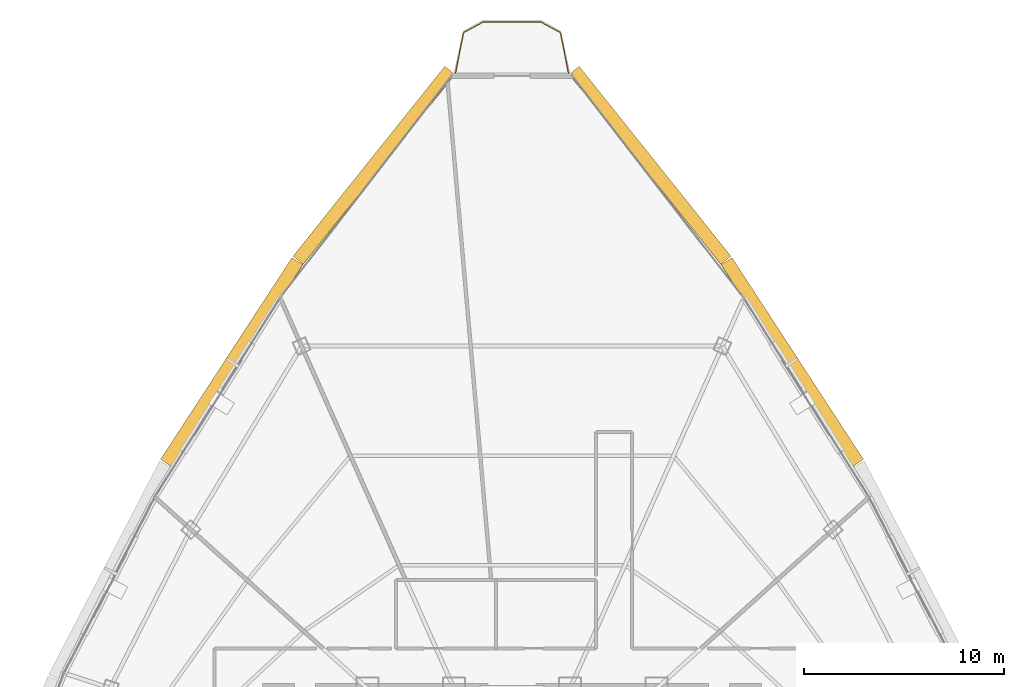
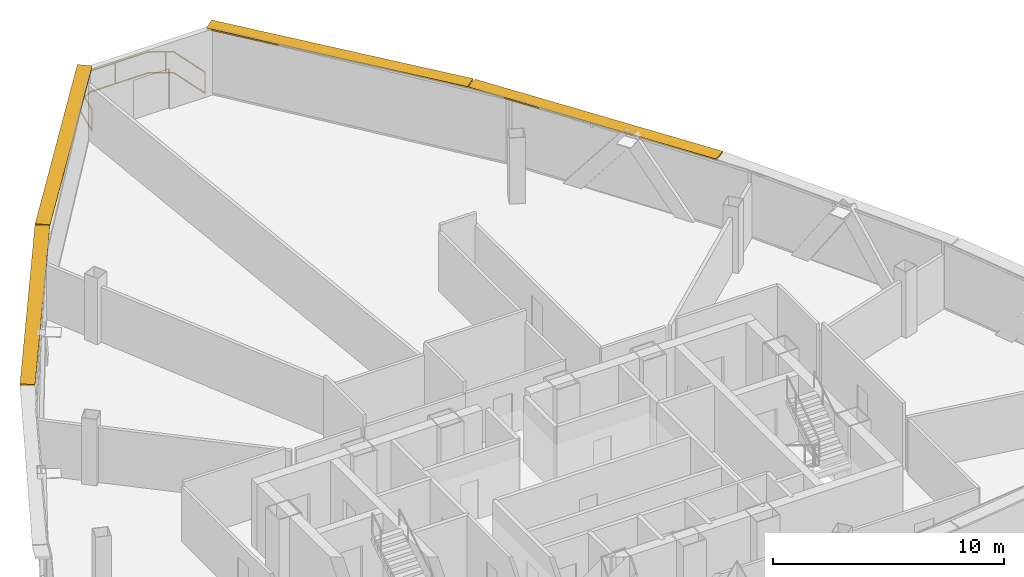
# One storey, part 30 of 30: 4 shading devices, 1 railing.
"""IFC4 building model written with IfcOpenShell, lengths in metres."""

from ifc_helpers import new_model, si_unit, direction, frame, origin, origin_2d, place, context, subcontext, project, spatial, rectangle, extrude, source, transform, mapped, material, layer, layer_set, type_object, element, save


model = new_model("IFC4")

# Units and contexts
model_context = context("Model", 3, precision=1e-05, world=origin(), true_north=direction((0.0, 1.0)))
body_context = subcontext(model_context, "Body", "Model", "MODEL_VIEW")
ifc_project = project(units=[si_unit("LENGTHUNIT", "METRE"), si_unit("AREAUNIT", "SQUARE_METRE"), si_unit("VOLUMEUNIT", "CUBIC_METRE"), si_unit("PLANEANGLEUNIT", "RADIAN"), si_unit("MASSUNIT", "GRAM", prefix="KILO"), si_unit("THERMODYNAMICTEMPERATUREUNIT", "KELVIN"), si_unit("POWERUNIT", "WATT")], contexts=[model_context])

# Site, building, storey
site_placement = place(None, origin())
site = spatial("IfcSite", under=ifc_project, at=site_placement, CompositionType="ELEMENT")
building_placement = place(site_placement, origin())
building = spatial("IfcBuilding", under=site, at=building_placement, Name="Yunzhuo Pagoda Commons", CompositionType="ELEMENT")
storey_placement = place(building_placement, frame((0.0, 0.0, 355.510009765625)))
storey = spatial("IfcBuildingStorey", under=building, at=storey_placement, Name="L89", CompositionType="ELEMENT", Elevation=355.510009765625)

# Railing
ifc_material = material(Name="Anodized aluminium 6063-T6", Category="aluminium")
railing_type = type_object("IfcRailingType", Name="RL-BAL1 Exterior Terrace & Balcony Balustrade 1150", PredefinedType="BALUSTRADE", material=ifc_material)
railing_placement = place(storey_placement, frame((50.819091796875, 70.908935546875, 0.0)))
element("IfcRailing", 1, at=railing_placement, inside=storey, type_object=railing_type, Name="L89 corner balcony balustrade V3", PredefinedType="BALUSTRADE", context=body_context, shape_type="SweptSolid", body=[
    extrude(rectangle(XDim=0.048095703125, YDim=0.048095703125, at=origin_2d()), frame((0.0, 0.0, 1.1259765625), z_axis=(-0.194200568098, 0.980961843983, 0.0), x_axis=(-0.980961843983, -0.194200568098, 0.0)), (0.0, 0.0, 1.0), 2.059326171875),
    extrude(rectangle(XDim=0.048095703125, YDim=0.048095703125, at=origin_2d()), frame((0.0, 0.0, 0.02392578125), z_axis=(-0.194200568098, 0.980961843983, 0.0), x_axis=(-0.980961843983, -0.194200568098, 0.0)), (0.0, 0.0, 1.0), 2.059326171875),
    extrude(rectangle(XDim=0.048095703125, YDim=0.048095703125, at=origin_2d()), frame((-0.39990234375, 2.02001953125, 1.1259765625), z_axis=(-0.87743072254, 0.479703374121, 0.0), x_axis=(-0.479703374121, -0.87743072254, 0.0)), (0.0, 0.0, 1.0), 1.10498046875),
    extrude(rectangle(XDim=0.048095703125, YDim=0.048095703125, at=origin_2d()), frame((-0.39990234375, 2.02001953125, 0.02392578125), z_axis=(-0.87743072254, 0.479703374121, 0.0), x_axis=(-0.479703374121, -0.87743072254, 0.0)), (0.0, 0.0, 1.0), 1.10498046875),
    extrude(rectangle(XDim=0.048095703125, YDim=0.048095703125, at=origin_2d()), frame((-1.369384765625, 2.550048828125, 1.1259765625), z_axis=(-1.0, 0.0, 0.0), x_axis=(0.0, -1.0, 0.0)), (0.0, 0.0, 1.0), 2.8994140625),
    extrude(rectangle(XDim=0.048095703125, YDim=0.048095703125, at=origin_2d()), frame((-1.369384765625, 2.550048828125, 0.02392578125), z_axis=(-1.0, 0.0, 0.0), x_axis=(0.0, -1.0, 0.0)), (0.0, 0.0, 1.0), 2.8994140625),
    extrude(rectangle(XDim=0.048095703125, YDim=0.048095703125, at=origin_2d()), frame((-4.268798828125, 2.550048828125, 1.1259765625), z_axis=(-0.87743072254, -0.479703374121, 0.0), x_axis=(0.479703374121, -0.87743072254, 0.0)), (0.0, 0.0, 1.0), 1.10498046875),
    extrude(rectangle(XDim=0.048095703125, YDim=0.048095703125, at=origin_2d()), frame((-4.268798828125, 2.550048828125, 0.02392578125), z_axis=(-0.87743072254, -0.479703374121, 0.0), x_axis=(0.479703374121, -0.87743072254, 0.0)), (0.0, 0.0, 1.0), 1.10498046875),
    extrude(rectangle(XDim=0.048095703125, YDim=0.048095703125, at=origin_2d()), frame((-5.23828125, 2.02001953125, 1.1259765625), z_axis=(-0.194200568098, -0.980961843983, 0.0), x_axis=(0.980961843983, -0.194200568098, 0.0)), (0.0, 0.0, 1.0), 2.059326171875),
    extrude(rectangle(XDim=0.048095703125, YDim=0.048095703125, at=origin_2d()), frame((-5.23828125, 2.02001953125, 0.02392578125), z_axis=(-0.194200568098, -0.980961843983, 0.0), x_axis=(0.980961843983, -0.194200568098, 0.0)), (0.0, 0.0, 1.0), 2.059326171875),
    extrude(rectangle(XDim=0.0419921875, YDim=0.0419921875, at=origin_2d()), origin(), (0.0, 0.0, 1.0), 1.101806640625),
    extrude(rectangle(XDim=0.0419921875, YDim=0.0419921875, at=origin_2d()), frame((-0.698974609375, 2.18359375, 0.0)), (0.0, 0.0, 1.0), 1.101806640625),
    extrude(rectangle(XDim=0.0419921875, YDim=0.0419921875, at=origin_2d()), frame((-3.00537109375, 2.550048828125, 0.0)), (0.0, 0.0, 1.0), 1.101806640625),
    extrude(rectangle(XDim=0.0419921875, YDim=0.0419921875, at=origin_2d()), frame((-5.244384765625, 1.989013671875, 0.0)), (0.0, 0.0, 1.0), 1.101806640625),
    extrude(rectangle(XDim=0.0419921875, YDim=0.0419921875, at=origin_2d()), frame((-5.63818359375, 0.0, 0.0)), (0.0, 0.0, 1.0), 1.101806640625),
])

# Shading devices
ifc_layer = layer(ifc_material, 0.080078125)
ifc_layer_set = layer_set([ifc_layer], Name="Anodized aluminium 6063-T6")
shading_device_type = type_object("IfcShadingDeviceType", Name="SH-SUN1 Pagoda Horizontal Sunshade Eave 650", PredefinedType="USERDEFINED", material=ifc_layer_set)
shared_shape_1 = source(origin(), body_context, "Body", "SweptSolid", [
    extrude(rectangle(XDim=12.01171875, YDim=0.64990234375, at=origin_2d()), origin(), (0.0, 0.0, 1.0), 0.080078125),
])
for number, where, z_axis, x_axis, name in (
    (2, (61.98779296875, 56.48876953125, 3.409912109375), (0.0, 0.0, 1.0), (-0.545853380833, 0.837880711458, 0.0), "L89 horizontal pagoda sunshade eave F2.3"),
    (3, (34.01220703125, 56.48876953125, 3.409912109375), (0.0, 0.0, 1.0), (-0.545853380833, -0.837880711458, 0.0), "L89 horizontal pagoda sunshade eave F3.2"),
):
    element("IfcShadingDevice", number, at=place(storey_placement, frame(where, z_axis=z_axis, x_axis=x_axis)), inside=storey, type_object=shading_device_type, Name=name, ObjectType="SUNSHADE", PredefinedType="USERDEFINED", context=body_context, shape_type="MappedRepresentation", body=[
        mapped(shared_shape_1, transform((0.0, 0.0, 0.0), scale=1.0)),
    ])
shared_shape_2 = source(origin(), body_context, "Body", "SweptSolid", [
    extrude(rectangle(XDim=12.126708984375, YDim=0.64990234375, at=origin_2d()), origin(), (0.0, 0.0, 1.0), 0.080078125),
])
for number, where, z_axis, x_axis, name in (
    (4, (54.8857421875, 66.3076171875, 3.409912109375), (0.0, 0.0, 1.0), (-0.624520471688, 0.781008438138, 0.0), "L89 horizontal pagoda sunshade eave F2.4"),
    (5, (41.1142578125, 66.3076171875, 3.409912109375), (0.0, 0.0, 1.0), (-0.624520471688, -0.781008438138, 0.0), "L89 horizontal pagoda sunshade eave F3.1"),
):
    element("IfcShadingDevice", number, at=place(storey_placement, frame(where, z_axis=z_axis, x_axis=x_axis)), inside=storey, type_object=shading_device_type, Name=name, ObjectType="SUNSHADE", PredefinedType="USERDEFINED", context=body_context, shape_type="MappedRepresentation", body=[
        mapped(shared_shape_2, transform((0.0, 0.0, 0.0), scale=1.0)),
    ])

save(model, "model.ifc")
